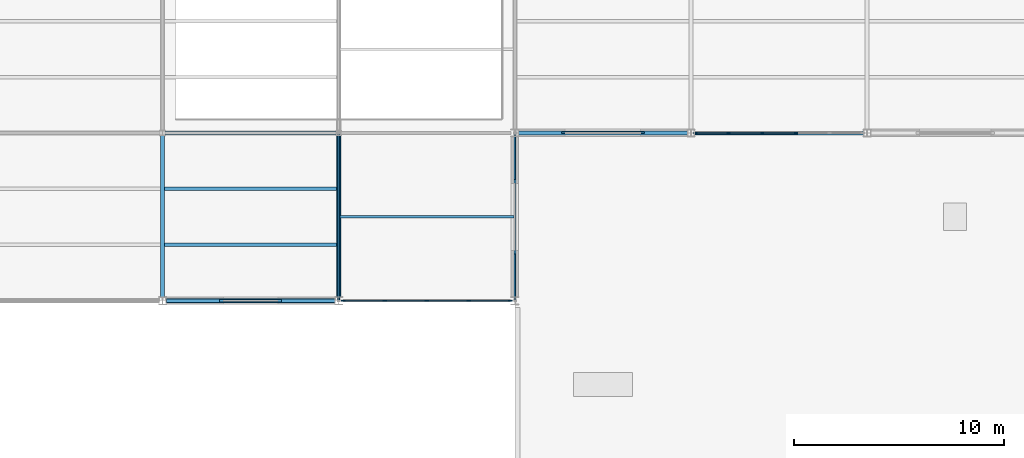
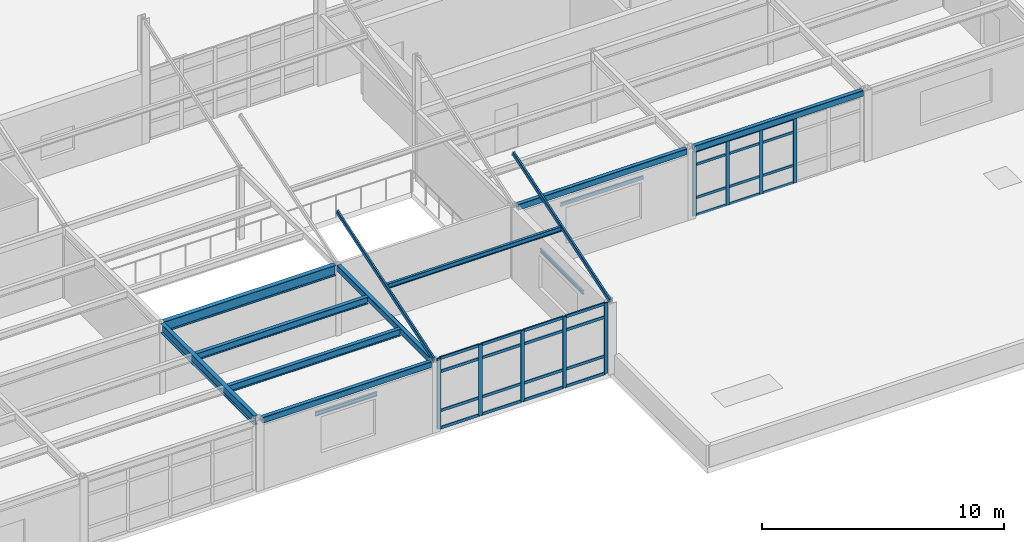
# One storey, part 14 of 96: 40 members, 11 beams, 2 elements without a shape of their own.
"""IFC4 building model written with IfcOpenShell, lengths in metres."""

from ifc_helpers import new_model, si_unit, direction, frame, origin, origin_2d, place, context, subcontext, project, spatial, rectangle, hollow_rectangle, i_section, u_section, extrude, material, layer, layer_set, material_profile, profile_set, type_object, element, aggregate, save


model = new_model("IFC4")

# Units and contexts
model_context = context("Model", 3, precision=1e-05, world=origin(), true_north=direction((0.0, 1.0)))
body_context = subcontext(model_context, "Body", "Model", "MODEL_VIEW")
ifc_project = project(units=[si_unit("LENGTHUNIT", "METRE"), si_unit("AREAUNIT", "SQUARE_METRE"), si_unit("VOLUMEUNIT", "CUBIC_METRE"), si_unit("PLANEANGLEUNIT", "RADIAN"), si_unit("MASSUNIT", "GRAM", prefix="KILO")], contexts=[model_context])

# Site, building, storey
site_placement = place(None, origin())
site = spatial("IfcSite", under=ifc_project, at=site_placement, CompositionType="ELEMENT")
building_placement = place(site_placement, origin())
building = spatial("IfcBuilding", under=site, at=building_placement, Name="Kranzveld Transit Interchange", CompositionType="ELEMENT")
storey_placement = place(building_placement, frame((0.0, 0.0, 9.52001953125)))
storey = spatial("IfcBuildingStorey", under=building, at=storey_placement, Name="L02", CompositionType="ELEMENT", Elevation=9.52001953125)

# Beam
ifc_material_1 = material(Name="Steel S355JR", Category="steel")
ifc_material_profile_1 = material_profile(ifc_material_1, i_section(OverallWidth=0.19189453125, OverallDepth=0.46337890625, WebThickness=0.010498046875, FlangeThickness=0.017578125, FilletRadius=0.01025390625, at=origin_2d()), Name="UB 457x191x89")
ifc_profile_set_1 = profile_set([ifc_material_profile_1], Name="Steel S355JR")
beam_type_1 = type_object("IfcBeamType", Name="Beam Steel UB 457x191x89 S355JR", PredefinedType="BEAM", material=ifc_profile_set_1)
beam_1_placement = place(storey_placement, frame((33.60009765625, 16.17724609375, 3.33837890625), z_axis=(0.0, 1.0, 0.0), x_axis=(-1.0, 0.0, 0.0)))
element("IfcBeam", 1, at=beam_1_placement, inside=storey, type_object=beam_type_1, Name="L02 Girder 05/C-D", PredefinedType="BEAM", context=body_context, shape_type="SweptSolid", body=[
    extrude(i_section(OverallWidth=0.19189453125, OverallDepth=0.46337890625, WebThickness=0.010498046875, FlangeThickness=0.017578125, FilletRadius=0.01025390625, at=origin_2d()), origin(), (0.0, 0.0, 1.0), 7.699462890625),
])

# Curtain wall, members
ifc_material_2 = material(Name="Bronze-anodised thermally broken aluminium", Category="aluminium")
ifc_layer_1 = layer(ifc_material_2, 0.155029296875)
ifc_layer_set_1 = layer_set([ifc_layer_1], Name="Bronze-anodised thermally broken aluminium")
curtain_wall_type_1 = type_object("IfcCurtainWallType", Name="Operations Courtyard Glazed Screen CW-6", PredefinedType="USERDEFINED", material=ifc_layer_set_1)
curtain_wall_1_placement = place(storey_placement, origin())
curtain_wall_1 = element("IfcCurtainWall", 2, at=curtain_wall_1_placement, inside=storey, type_object=curtain_wall_type_1, Name="L02 Curtain Wall 08/D-09/D", ObjectType="CURTAIN WALL", PredefinedType="USERDEFINED")
ifc_material_3 = material(Name="Bronze-anodised thermally broken aluminium", Category="aluminium")
ifc_material_profile_2 = material_profile(ifc_material_3, rectangle(XDim=0.06494140625, YDim=0.1650390625, at=origin_2d()), Name="ALU MULLION 65x165")
ifc_profile_set_2 = profile_set([ifc_material_profile_2], Name="Bronze-anodised thermally broken aluminium")
member_type_1 = type_object("IfcMemberType", Name="Curtain Wall Mullion 65x165 Alu", PredefinedType="MULLION", material=ifc_profile_set_2)
member_1_placement = place(storey_placement, frame((59.019775390625, 24.0, 0.0), z_axis=(0.0, 0.0, 1.0), x_axis=(0.0, 1.0, 0.0)))
member_1 = element("IfcMember", 3, at=member_1_placement, type_object=member_type_1, Name="CW-6 mullion 1", PredefinedType="MULLION", context=body_context, shape_type="SweptSolid", body=[
    extrude(rectangle(XDim=0.06494140625, YDim=0.1650390625, at=origin_2d()), origin(), (0.0, 0.0, 1.0), 3.27001953125),
])
member_2_placement = place(storey_placement, frame((60.59228515625, 24.0, 0.0), z_axis=(0.0, 0.0, 1.0), x_axis=(0.0, 1.0, 0.0)))
member_2 = element("IfcMember", 4, at=member_2_placement, type_object=member_type_1, Name="CW-6 mullion 2", PredefinedType="MULLION", context=body_context, shape_type="SweptSolid", body=[
    extrude(rectangle(XDim=0.06494140625, YDim=0.1650390625, at=origin_2d()), origin(), (0.0, 0.0, 1.0), 3.27001953125),
])
member_3_placement = place(storey_placement, frame((62.197509765625, 24.0, 0.0), z_axis=(0.0, 0.0, 1.0), x_axis=(0.0, 1.0, 0.0)))
member_3 = element("IfcMember", 5, at=member_3_placement, type_object=member_type_1, Name="CW-6 mullion 3", PredefinedType="MULLION", context=body_context, shape_type="SweptSolid", body=[
    extrude(rectangle(XDim=0.06494140625, YDim=0.1650390625, at=origin_2d()), origin(), (0.0, 0.0, 1.0), 3.27001953125),
])
member_4_placement = place(storey_placement, frame((63.802490234375, 24.0, 0.0), z_axis=(0.0, 0.0, 1.0), x_axis=(0.0, 1.0, 0.0)))
member_4 = element("IfcMember", 6, at=member_4_placement, type_object=member_type_1, Name="CW-6 mullion 4", PredefinedType="MULLION", context=body_context, shape_type="SweptSolid", body=[
    extrude(rectangle(XDim=0.06494140625, YDim=0.1650390625, at=origin_2d()), origin(), (0.0, 0.0, 1.0), 3.27001953125),
])

ifc_material_4 = material(Name="Bronze-anodised thermally broken aluminium", Category="aluminium")
ifc_layer_2 = layer(ifc_material_4, 0.179931640625)
ifc_layer_set_2 = layer_set([ifc_layer_2], Name="Bronze-anodised thermally broken aluminium")
curtain_wall_type_2 = type_object("IfcCurtainWallType", Name="Concourse Unitised Curtain Wall CW-1", PredefinedType="USERDEFINED", material=ifc_layer_set_2)
curtain_wall_2_placement = place(storey_placement, origin())
curtain_wall_2 = element("IfcCurtainWall", 7, at=curtain_wall_2_placement, inside=storey, type_object=curtain_wall_type_2, Name="L02 Curtain Wall 06/C-07/C", ObjectType="CURTAIN WALL", PredefinedType="USERDEFINED")
ifc_material_5 = material(Name="Bronze-anodised thermally broken aluminium", Category="aluminium")
ifc_material_profile_3 = material_profile(ifc_material_5, rectangle(XDim=0.06494140625, YDim=0.179931640625, at=origin_2d()), Name="ALU MULLION 65x180")
ifc_profile_set_3 = profile_set([ifc_material_profile_3], Name="Bronze-anodised thermally broken aluminium")
member_type_2 = type_object("IfcMemberType", Name="Curtain Wall Mullion 65x180 Alu", PredefinedType="MULLION", material=ifc_profile_set_3)
member_5_placement = place(storey_placement, frame((42.2197265625, 16.0, 0.0), z_axis=(0.0, 0.0, 1.0), x_axis=(0.0, 1.0, 0.0)))
member_5 = element("IfcMember", 8, at=member_5_placement, type_object=member_type_2, Name="CW-1 mullion 1", PredefinedType="MULLION", context=body_context, shape_type="SweptSolid", body=[
    extrude(rectangle(XDim=0.06494140625, YDim=0.179931640625, at=origin_2d()), origin(), (0.0, 0.0, 1.0), 3.570068359375),
])
member_6_placement = place(storey_placement, frame((44.193603515625, 16.0, 0.0), z_axis=(0.0, 0.0, 1.0), x_axis=(0.0, 1.0, 0.0)))
member_6 = element("IfcMember", 9, at=member_6_placement, type_object=member_type_2, Name="CW-1 mullion 2", PredefinedType="MULLION", context=body_context, shape_type="SweptSolid", body=[
    extrude(rectangle(XDim=0.06494140625, YDim=0.179931640625, at=origin_2d()), origin(), (0.0, 0.0, 1.0), 3.570068359375),
])
member_7_placement = place(storey_placement, frame((46.199951171875, 16.0, 0.0), z_axis=(0.0, 0.0, 1.0), x_axis=(0.0, 1.0, 0.0)))
member_7 = element("IfcMember", 10, at=member_7_placement, type_object=member_type_2, Name="CW-1 mullion 3", PredefinedType="MULLION", context=body_context, shape_type="SweptSolid", body=[
    extrude(rectangle(XDim=0.06494140625, YDim=0.179931640625, at=origin_2d()), origin(), (0.0, 0.0, 1.0), 3.570068359375),
])
member_8_placement = place(storey_placement, frame((48.206298828125, 16.0, 0.0), z_axis=(0.0, 0.0, 1.0), x_axis=(0.0, 1.0, 0.0)))
member_8 = element("IfcMember", 11, at=member_8_placement, type_object=member_type_2, Name="CW-1 mullion 4", PredefinedType="MULLION", context=body_context, shape_type="SweptSolid", body=[
    extrude(rectangle(XDim=0.06494140625, YDim=0.179931640625, at=origin_2d()), origin(), (0.0, 0.0, 1.0), 3.570068359375),
])
member_9_placement = place(storey_placement, frame((50.18017578125, 16.0, 0.0), z_axis=(0.0, 0.0, 1.0), x_axis=(0.0, 1.0, 0.0)))
member_9 = element("IfcMember", 12, at=member_9_placement, type_object=member_type_2, Name="CW-1 mullion 5", PredefinedType="MULLION", context=body_context, shape_type="SweptSolid", body=[
    extrude(rectangle(XDim=0.06494140625, YDim=0.179931640625, at=origin_2d()), origin(), (0.0, 0.0, 1.0), 3.570068359375),
])

# Member
ifc_material_6 = material(Name="Bronze-anodised thermally broken aluminium", Category="aluminium")
ifc_material_profile_4 = material_profile(ifc_material_6, rectangle(XDim=0.06005859375, YDim=0.125, at=origin_2d()), Name="ALU TRANSOM 60x125")
ifc_profile_set_4 = profile_set([ifc_material_profile_4], Name="Bronze-anodised thermally broken aluminium")
member_type_3 = type_object("IfcMemberType", Name="Curtain Wall Transom 60x125 Alu", PredefinedType="USERDEFINED", material=ifc_profile_set_4)
member_10_placement = place(storey_placement, frame((59.05224609375, 24.0, 0.030029296875), z_axis=(1.0, 0.0, 0.0), x_axis=(0.0, 1.0, 0.0)))
member_10 = element("IfcMember", 13, at=member_10_placement, type_object=member_type_3, Name="CW-6 transom 1.1", ObjectType="TRANSOM", PredefinedType="USERDEFINED", context=body_context, shape_type="SweptSolid", body=[
    extrude(rectangle(XDim=0.06005859375, YDim=0.125, at=origin_2d()), origin(), (0.0, 0.0, 1.0), 1.507568359375),
])

member_11_placement = place(storey_placement, frame((59.05224609375, 24.0, 0.89990234375), z_axis=(1.0, 0.0, 0.0), x_axis=(0.0, 1.0, 0.0)))
member_11 = element("IfcMember", 14, at=member_11_placement, type_object=member_type_3, Name="CW-6 transom 1.2", ObjectType="TRANSOM", PredefinedType="USERDEFINED", context=body_context, shape_type="SweptSolid", body=[
    extrude(rectangle(XDim=0.06005859375, YDim=0.125, at=origin_2d()), origin(), (0.0, 0.0, 1.0), 1.507568359375),
])

member_12_placement = place(storey_placement, frame((59.05224609375, 24.0, 2.570068359375), z_axis=(1.0, 0.0, 0.0), x_axis=(0.0, 1.0, 0.0)))
member_12 = element("IfcMember", 15, at=member_12_placement, type_object=member_type_3, Name="CW-6 transom 1.3", ObjectType="TRANSOM", PredefinedType="USERDEFINED", context=body_context, shape_type="SweptSolid", body=[
    extrude(rectangle(XDim=0.06005859375, YDim=0.125, at=origin_2d()), origin(), (0.0, 0.0, 1.0), 1.507568359375),
])

member_13_placement = place(storey_placement, frame((59.05224609375, 24.0, 3.239990234375), z_axis=(1.0, 0.0, 0.0), x_axis=(0.0, 1.0, 0.0)))
member_13 = element("IfcMember", 16, at=member_13_placement, type_object=member_type_3, Name="CW-6 transom 1.4", ObjectType="TRANSOM", PredefinedType="USERDEFINED", context=body_context, shape_type="SweptSolid", body=[
    extrude(rectangle(XDim=0.06005859375, YDim=0.125, at=origin_2d()), origin(), (0.0, 0.0, 1.0), 1.507568359375),
])

member_14_placement = place(storey_placement, frame((60.625, 24.0, 0.030029296875), z_axis=(1.0, 0.0, 0.0), x_axis=(0.0, 1.0, 0.0)))
member_14 = element("IfcMember", 17, at=member_14_placement, type_object=member_type_3, Name="CW-6 transom 2.1", ObjectType="TRANSOM", PredefinedType="USERDEFINED", context=body_context, shape_type="SweptSolid", body=[
    extrude(rectangle(XDim=0.06005859375, YDim=0.125, at=origin_2d()), origin(), (0.0, 0.0, 1.0), 1.5400390625),
])

member_15_placement = place(storey_placement, frame((60.625, 24.0, 0.89990234375), z_axis=(1.0, 0.0, 0.0), x_axis=(0.0, 1.0, 0.0)))
member_15 = element("IfcMember", 18, at=member_15_placement, type_object=member_type_3, Name="CW-6 transom 2.2", ObjectType="TRANSOM", PredefinedType="USERDEFINED", context=body_context, shape_type="SweptSolid", body=[
    extrude(rectangle(XDim=0.06005859375, YDim=0.125, at=origin_2d()), origin(), (0.0, 0.0, 1.0), 1.5400390625),
])

member_16_placement = place(storey_placement, frame((60.625, 24.0, 2.570068359375), z_axis=(1.0, 0.0, 0.0), x_axis=(0.0, 1.0, 0.0)))
member_16 = element("IfcMember", 19, at=member_16_placement, type_object=member_type_3, Name="CW-6 transom 2.3", ObjectType="TRANSOM", PredefinedType="USERDEFINED", context=body_context, shape_type="SweptSolid", body=[
    extrude(rectangle(XDim=0.06005859375, YDim=0.125, at=origin_2d()), origin(), (0.0, 0.0, 1.0), 1.5400390625),
])

member_17_placement = place(storey_placement, frame((60.625, 24.0, 3.239990234375), z_axis=(1.0, 0.0, 0.0), x_axis=(0.0, 1.0, 0.0)))
member_17 = element("IfcMember", 20, at=member_17_placement, type_object=member_type_3, Name="CW-6 transom 2.4", ObjectType="TRANSOM", PredefinedType="USERDEFINED", context=body_context, shape_type="SweptSolid", body=[
    extrude(rectangle(XDim=0.06005859375, YDim=0.125, at=origin_2d()), origin(), (0.0, 0.0, 1.0), 1.5400390625),
])

member_18_placement = place(storey_placement, frame((62.22998046875, 24.0, 0.030029296875), z_axis=(1.0, 0.0, 0.0), x_axis=(0.0, 1.0, 0.0)))
member_18 = element("IfcMember", 21, at=member_18_placement, type_object=member_type_3, Name="CW-6 transom 3.1", ObjectType="TRANSOM", PredefinedType="USERDEFINED", context=body_context, shape_type="SweptSolid", body=[
    extrude(rectangle(XDim=0.06005859375, YDim=0.125, at=origin_2d()), origin(), (0.0, 0.0, 1.0), 1.5400390625),
])

member_19_placement = place(storey_placement, frame((62.22998046875, 24.0, 0.89990234375), z_axis=(1.0, 0.0, 0.0), x_axis=(0.0, 1.0, 0.0)))
member_19 = element("IfcMember", 22, at=member_19_placement, type_object=member_type_3, Name="CW-6 transom 3.2", ObjectType="TRANSOM", PredefinedType="USERDEFINED", context=body_context, shape_type="SweptSolid", body=[
    extrude(rectangle(XDim=0.06005859375, YDim=0.125, at=origin_2d()), origin(), (0.0, 0.0, 1.0), 1.5400390625),
])

member_20_placement = place(storey_placement, frame((62.22998046875, 24.0, 2.570068359375), z_axis=(1.0, 0.0, 0.0), x_axis=(0.0, 1.0, 0.0)))
member_20 = element("IfcMember", 23, at=member_20_placement, type_object=member_type_3, Name="CW-6 transom 3.3", ObjectType="TRANSOM", PredefinedType="USERDEFINED", context=body_context, shape_type="SweptSolid", body=[
    extrude(rectangle(XDim=0.06005859375, YDim=0.125, at=origin_2d()), origin(), (0.0, 0.0, 1.0), 1.5400390625),
])

member_21_placement = place(storey_placement, frame((62.22998046875, 24.0, 3.239990234375), z_axis=(1.0, 0.0, 0.0), x_axis=(0.0, 1.0, 0.0)))
member_21 = element("IfcMember", 24, at=member_21_placement, type_object=member_type_3, Name="CW-6 transom 3.4", ObjectType="TRANSOM", PredefinedType="USERDEFINED", context=body_context, shape_type="SweptSolid", body=[
    extrude(rectangle(XDim=0.06005859375, YDim=0.125, at=origin_2d()), origin(), (0.0, 0.0, 1.0), 1.5400390625),
])

aggregate(curtain_wall_1, [member_1, member_2, member_3, member_4, member_10, member_11, member_12, member_13, member_14, member_15, member_16, member_17, member_18, member_19, member_20, member_21])

ifc_material_7 = material(Name="Bronze-anodised thermally broken aluminium", Category="aluminium")
ifc_material_profile_5 = material_profile(ifc_material_7, rectangle(XDim=0.06494140625, YDim=0.139892578125, at=origin_2d()), Name="ALU TRANSOM 65x140")
ifc_profile_set_5 = profile_set([ifc_material_profile_5], Name="Bronze-anodised thermally broken aluminium")
member_type_4 = type_object("IfcMemberType", Name="Curtain Wall Transom 65x140 Alu", PredefinedType="USERDEFINED", material=ifc_profile_set_5)
member_22_placement = place(storey_placement, frame((42.252197265625, 16.0, 0.032470703125), z_axis=(1.0, 0.0, 0.0), x_axis=(0.0, 1.0, 0.0)))
member_22 = element("IfcMember", 25, at=member_22_placement, type_object=member_type_4, Name="CW-1 transom 1.1", ObjectType="TRANSOM", PredefinedType="USERDEFINED", context=body_context, shape_type="SweptSolid", body=[
    extrude(rectangle(XDim=0.06494140625, YDim=0.139892578125, at=origin_2d()), origin(), (0.0, 0.0, 1.0), 1.908935546875),
])

member_23_placement = place(storey_placement, frame((42.252197265625, 16.0, 0.89990234375), z_axis=(1.0, 0.0, 0.0), x_axis=(0.0, 1.0, 0.0)))
member_23 = element("IfcMember", 26, at=member_23_placement, type_object=member_type_4, Name="CW-1 transom 1.2", ObjectType="TRANSOM", PredefinedType="USERDEFINED", context=body_context, shape_type="SweptSolid", body=[
    extrude(rectangle(XDim=0.06494140625, YDim=0.139892578125, at=origin_2d()), origin(), (0.0, 0.0, 1.0), 1.908935546875),
])

member_24_placement = place(storey_placement, frame((42.252197265625, 16.0, 2.869873046875), z_axis=(1.0, 0.0, 0.0), x_axis=(0.0, 1.0, 0.0)))
member_24 = element("IfcMember", 27, at=member_24_placement, type_object=member_type_4, Name="CW-1 transom 1.3", ObjectType="TRANSOM", PredefinedType="USERDEFINED", context=body_context, shape_type="SweptSolid", body=[
    extrude(rectangle(XDim=0.06494140625, YDim=0.139892578125, at=origin_2d()), origin(), (0.0, 0.0, 1.0), 1.908935546875),
])

member_25_placement = place(storey_placement, frame((42.252197265625, 16.0, 3.53759765625), z_axis=(1.0, 0.0, 0.0), x_axis=(0.0, 1.0, 0.0)))
member_25 = element("IfcMember", 28, at=member_25_placement, type_object=member_type_4, Name="CW-1 transom 1.4", ObjectType="TRANSOM", PredefinedType="USERDEFINED", context=body_context, shape_type="SweptSolid", body=[
    extrude(rectangle(XDim=0.06494140625, YDim=0.139892578125, at=origin_2d()), origin(), (0.0, 0.0, 1.0), 1.908935546875),
])

member_26_placement = place(storey_placement, frame((44.22607421875, 16.0, 0.032470703125), z_axis=(1.0, 0.0, 0.0), x_axis=(0.0, 1.0, 0.0)))
member_26 = element("IfcMember", 29, at=member_26_placement, type_object=member_type_4, Name="CW-1 transom 2.1", ObjectType="TRANSOM", PredefinedType="USERDEFINED", context=body_context, shape_type="SweptSolid", body=[
    extrude(rectangle(XDim=0.06494140625, YDim=0.139892578125, at=origin_2d()), origin(), (0.0, 0.0, 1.0), 1.94140625),
])

member_27_placement = place(storey_placement, frame((44.22607421875, 16.0, 0.89990234375), z_axis=(1.0, 0.0, 0.0), x_axis=(0.0, 1.0, 0.0)))
member_27 = element("IfcMember", 30, at=member_27_placement, type_object=member_type_4, Name="CW-1 transom 2.2", ObjectType="TRANSOM", PredefinedType="USERDEFINED", context=body_context, shape_type="SweptSolid", body=[
    extrude(rectangle(XDim=0.06494140625, YDim=0.139892578125, at=origin_2d()), origin(), (0.0, 0.0, 1.0), 1.94140625),
])

member_28_placement = place(storey_placement, frame((44.22607421875, 16.0, 2.869873046875), z_axis=(1.0, 0.0, 0.0), x_axis=(0.0, 1.0, 0.0)))
member_28 = element("IfcMember", 31, at=member_28_placement, type_object=member_type_4, Name="CW-1 transom 2.3", ObjectType="TRANSOM", PredefinedType="USERDEFINED", context=body_context, shape_type="SweptSolid", body=[
    extrude(rectangle(XDim=0.06494140625, YDim=0.139892578125, at=origin_2d()), origin(), (0.0, 0.0, 1.0), 1.94140625),
])

member_29_placement = place(storey_placement, frame((44.22607421875, 16.0, 3.53759765625), z_axis=(1.0, 0.0, 0.0), x_axis=(0.0, 1.0, 0.0)))
member_29 = element("IfcMember", 32, at=member_29_placement, type_object=member_type_4, Name="CW-1 transom 2.4", ObjectType="TRANSOM", PredefinedType="USERDEFINED", context=body_context, shape_type="SweptSolid", body=[
    extrude(rectangle(XDim=0.06494140625, YDim=0.139892578125, at=origin_2d()), origin(), (0.0, 0.0, 1.0), 1.94140625),
])

member_30_placement = place(storey_placement, frame((46.232421875, 16.0, 0.032470703125), z_axis=(1.0, 0.0, 0.0), x_axis=(0.0, 1.0, 0.0)))
member_30 = element("IfcMember", 33, at=member_30_placement, type_object=member_type_4, Name="CW-1 transom 3.1", ObjectType="TRANSOM", PredefinedType="USERDEFINED", context=body_context, shape_type="SweptSolid", body=[
    extrude(rectangle(XDim=0.06494140625, YDim=0.139892578125, at=origin_2d()), origin(), (0.0, 0.0, 1.0), 1.94140625),
])

member_31_placement = place(storey_placement, frame((46.232421875, 16.0, 0.89990234375), z_axis=(1.0, 0.0, 0.0), x_axis=(0.0, 1.0, 0.0)))
member_31 = element("IfcMember", 34, at=member_31_placement, type_object=member_type_4, Name="CW-1 transom 3.2", ObjectType="TRANSOM", PredefinedType="USERDEFINED", context=body_context, shape_type="SweptSolid", body=[
    extrude(rectangle(XDim=0.06494140625, YDim=0.139892578125, at=origin_2d()), origin(), (0.0, 0.0, 1.0), 1.94140625),
])

member_32_placement = place(storey_placement, frame((46.232421875, 16.0, 2.869873046875), z_axis=(1.0, 0.0, 0.0), x_axis=(0.0, 1.0, 0.0)))
member_32 = element("IfcMember", 35, at=member_32_placement, type_object=member_type_4, Name="CW-1 transom 3.3", ObjectType="TRANSOM", PredefinedType="USERDEFINED", context=body_context, shape_type="SweptSolid", body=[
    extrude(rectangle(XDim=0.06494140625, YDim=0.139892578125, at=origin_2d()), origin(), (0.0, 0.0, 1.0), 1.94140625),
])

member_33_placement = place(storey_placement, frame((46.232421875, 16.0, 3.53759765625), z_axis=(1.0, 0.0, 0.0), x_axis=(0.0, 1.0, 0.0)))
member_33 = element("IfcMember", 36, at=member_33_placement, type_object=member_type_4, Name="CW-1 transom 3.4", ObjectType="TRANSOM", PredefinedType="USERDEFINED", context=body_context, shape_type="SweptSolid", body=[
    extrude(rectangle(XDim=0.06494140625, YDim=0.139892578125, at=origin_2d()), origin(), (0.0, 0.0, 1.0), 1.94140625),
])

member_34_placement = place(storey_placement, frame((48.23876953125, 16.0, 0.032470703125), z_axis=(1.0, 0.0, 0.0), x_axis=(0.0, 1.0, 0.0)))
member_34 = element("IfcMember", 37, at=member_34_placement, type_object=member_type_4, Name="CW-1 transom 4.1", ObjectType="TRANSOM", PredefinedType="USERDEFINED", context=body_context, shape_type="SweptSolid", body=[
    extrude(rectangle(XDim=0.06494140625, YDim=0.139892578125, at=origin_2d()), origin(), (0.0, 0.0, 1.0), 1.908935546875),
])

member_35_placement = place(storey_placement, frame((48.23876953125, 16.0, 0.89990234375), z_axis=(1.0, 0.0, 0.0), x_axis=(0.0, 1.0, 0.0)))
member_35 = element("IfcMember", 38, at=member_35_placement, type_object=member_type_4, Name="CW-1 transom 4.2", ObjectType="TRANSOM", PredefinedType="USERDEFINED", context=body_context, shape_type="SweptSolid", body=[
    extrude(rectangle(XDim=0.06494140625, YDim=0.139892578125, at=origin_2d()), origin(), (0.0, 0.0, 1.0), 1.908935546875),
])

member_36_placement = place(storey_placement, frame((48.23876953125, 16.0, 2.869873046875), z_axis=(1.0, 0.0, 0.0), x_axis=(0.0, 1.0, 0.0)))
member_36 = element("IfcMember", 39, at=member_36_placement, type_object=member_type_4, Name="CW-1 transom 4.3", ObjectType="TRANSOM", PredefinedType="USERDEFINED", context=body_context, shape_type="SweptSolid", body=[
    extrude(rectangle(XDim=0.06494140625, YDim=0.139892578125, at=origin_2d()), origin(), (0.0, 0.0, 1.0), 1.908935546875),
])

member_37_placement = place(storey_placement, frame((48.23876953125, 16.0, 3.53759765625), z_axis=(1.0, 0.0, 0.0), x_axis=(0.0, 1.0, 0.0)))
member_37 = element("IfcMember", 40, at=member_37_placement, type_object=member_type_4, Name="CW-1 transom 4.4", ObjectType="TRANSOM", PredefinedType="USERDEFINED", context=body_context, shape_type="SweptSolid", body=[
    extrude(rectangle(XDim=0.06494140625, YDim=0.139892578125, at=origin_2d()), origin(), (0.0, 0.0, 1.0), 1.908935546875),
])

aggregate(curtain_wall_2, [member_5, member_6, member_7, member_8, member_9, member_22, member_23, member_24, member_25, member_26, member_27, member_28, member_29, member_30, member_31, member_32, member_33, member_34, member_35, member_36, member_37])

# Beams
ifc_material_8 = material(Name="Steel S355JR", Category="steel")
ifc_material_profile_6 = material_profile(ifc_material_8, hollow_rectangle(XDim=0.199951171875, YDim=0.300048828125, WallThickness=0.010009765625, InnerFilletRadius=0.014892578125, OuterFilletRadius=0.02490234375, at=origin_2d()), Name="RHS 300x200x10")
ifc_profile_set_6 = profile_set([ifc_material_profile_6], Name="Steel S355JR")
beam_type_2 = type_object("IfcBeamType", Name="Edge Spandrel RHS 300x200x10 S355JR", PredefinedType="SPANDREL", material=ifc_profile_set_6)
for number, where, z_axis, x_axis, name in (
    (41, (33.77734375, 16.0, 3.419921875), (1.0, 0.0, 0.0), (0.0, 1.0, 0.0), "L02 Girder 05-06/C"),
    (42, (50.577392578125, 24.0, 3.419921875), (1.0, 0.0, 0.0), (0.0, 1.0, 0.0), "L02 Girder 07-08/D"),
    (43, (58.977294921875, 24.0, 3.419921875), (1.0, 0.0, 0.0), (0.0, 1.0, 0.0), "L02 Girder 08-09/D"),
):
    element("IfcBeam", number, at=place(storey_placement, frame(where, z_axis=z_axis, x_axis=x_axis)), inside=storey, type_object=beam_type_2, Name=name, PredefinedType="SPANDREL", context=body_context, shape_type="SweptSolid", body=[
        extrude(hollow_rectangle(XDim=0.199951171875, YDim=0.300048828125, WallThickness=0.010009765625, InnerFilletRadius=0.014892578125, OuterFilletRadius=0.02490234375, at=origin_2d()), origin(), (0.0, 0.0, 1.0), 8.04541015625),
    ])
beam_2_placement = place(storey_placement, frame((42.0, 16.17724609375, 3.419921875), z_axis=(0.0, 1.0, 0.0), x_axis=(-1.0, 0.0, 0.0)))
element("IfcBeam", 44, at=beam_2_placement, inside=storey, type_object=beam_type_2, Name="L02 Girder 06/C-D", PredefinedType="SPANDREL", context=body_context, shape_type="SweptSolid", body=[
    extrude(hollow_rectangle(XDim=0.199951171875, YDim=0.300048828125, WallThickness=0.010009765625, InnerFilletRadius=0.014892578125, OuterFilletRadius=0.02490234375, at=origin_2d()), origin(), (0.0, 0.0, 1.0), 7.699462890625),
])
ifc_material_9 = material(Name="Steel S355JR", Category="steel")
ifc_material_profile_7 = material_profile(ifc_material_9, i_section(OverallWidth=0.171142578125, OverallDepth=0.351318359375, WebThickness=0.007080078125, FlangeThickness=0.009765625, FilletRadius=0.01025390625, at=origin_2d()), Name="UB 356x171x45")
ifc_profile_set_7 = profile_set([ifc_material_profile_7], Name="Steel S355JR")
beam_type_3 = type_object("IfcBeamType", Name="Floor Joist UB 356x171x45 S355JR", PredefinedType="JOIST", material=ifc_profile_set_7)
for number, where, z_axis, x_axis, name in (
    (45, (33.697998046875, 18.666748046875, 3.394287109375), (1.0, 0.0, 0.0), (0.0, 1.0, 0.0), "L02 Secondary Joist 05-06/C.1"),
    (46, (33.697998046875, 21.333251953125, 3.394287109375), (1.0, 0.0, 0.0), (0.0, 1.0, 0.0), "L02 Secondary Joist 05-06/C.2"),
):
    element("IfcBeam", number, at=place(storey_placement, frame(where, z_axis=z_axis, x_axis=x_axis)), inside=storey, type_object=beam_type_3, Name=name, PredefinedType="JOIST", context=body_context, shape_type="SweptSolid", body=[
        extrude(i_section(OverallWidth=0.171142578125, OverallDepth=0.351318359375, WebThickness=0.007080078125, FlangeThickness=0.009765625, FilletRadius=0.01025390625, at=origin_2d()), origin(), (0.0, 0.0, 1.0), 8.199951171875),
    ])
ifc_material_10 = material(Name="Steel S355JR", Category="steel")
ifc_material_profile_8 = material_profile(ifc_material_10, i_section(OverallWidth=0.209228515625, OverallDepth=0.533203125, WebThickness=0.010009765625, FlangeThickness=0.015625, FilletRadius=0.0126953125, at=origin_2d()), Name="UB 533x210x92")
ifc_profile_set_8 = profile_set([ifc_material_profile_8], Name="Steel S355JR")
beam_type_4 = type_object("IfcBeamType", Name="Girder Steel UB 533x210x92 S355JR", PredefinedType="BEAM", material=ifc_profile_set_8)
beam_3_placement = place(storey_placement, frame((33.719482421875, 24.0, 3.303466796875), z_axis=(1.0, 0.0, 0.0), x_axis=(0.0, 1.0, 0.0)))
element("IfcBeam", 47, at=beam_3_placement, inside=storey, type_object=beam_type_4, Name="L02 Girder 05-06/D", PredefinedType="BEAM", context=body_context, shape_type="SweptSolid", body=[
    extrude(i_section(OverallWidth=0.209228515625, OverallDepth=0.533203125, WebThickness=0.010009765625, FlangeThickness=0.015625, FilletRadius=0.0126953125, at=origin_2d()), origin(), (0.0, 0.0, 1.0), 8.1611328125),
])
ifc_material_11 = material(Name="Steel S355JR", Category="steel")
ifc_material_profile_9 = material_profile(ifc_material_11, u_section(Depth=0.179931640625, FlangeWidth=0.070068359375, WebThickness=0.007080078125, FlangeThickness=0.010986328125, FilletRadius=0.010009765625, at=origin_2d()), Name="PFC 180x70x22")
ifc_profile_set_9 = profile_set([ifc_material_profile_9], Name="Steel S355JR")
beam_type_5 = type_object("IfcBeamType", Name="Masonry Lintel PFC 180x70x22 S355JR", PredefinedType="LINTEL", material=ifc_profile_set_9)
beam_4_placement = place(storey_placement, frame((52.6201171875, 24.0, 2.794921875), z_axis=(1.0, 0.0, 0.0), x_axis=(0.0, 1.0, 0.0)))
element("IfcBeam", 48, at=beam_4_placement, inside=storey, type_object=beam_type_5, Name="L02 Window Lintel 121", PredefinedType="LINTEL", context=body_context, shape_type="SweptSolid", body=[
    extrude(u_section(Depth=0.179931640625, FlangeWidth=0.070068359375, WebThickness=0.007080078125, FlangeThickness=0.010986328125, FilletRadius=0.010009765625, at=origin_2d()), origin(), (0.0, 0.0, 1.0), 3.9599609375),
])
ifc_material_12 = material(Name="Steel S355JR", Category="steel")
ifc_material_profile_10 = material_profile(ifc_material_12, i_section(OverallWidth=0.091064453125, OverallDepth=0.179931640625, WebThickness=0.00537109375, FlangeThickness=0.008056640625, FilletRadius=0.009033203125, at=origin_2d()), Name="IPE 180")
ifc_profile_set_10 = profile_set([ifc_material_profile_10], Name="Steel S355JR")
beam_type_6 = type_object("IfcBeamType", Name="Opening Lintel IPE 180 S355JR", PredefinedType="LINTEL", material=ifc_profile_set_10)
beam_5_placement = place(storey_placement, frame((50.39990234375, 18.219970703125, 2.64501953125), z_axis=(0.0, 1.0, 0.0), x_axis=(-1.0, 0.0, 0.0)))
element("IfcBeam", 49, at=beam_5_placement, inside=storey, type_object=beam_type_6, Name="L02 Window Lintel 123", PredefinedType="LINTEL", context=body_context, shape_type="SweptSolid", body=[
    extrude(i_section(OverallWidth=0.091064453125, OverallDepth=0.179931640625, WebThickness=0.00537109375, FlangeThickness=0.008056640625, FilletRadius=0.009033203125, at=origin_2d()), origin(), (0.0, 0.0, 1.0), 3.56005859375),
])
ifc_material_13 = material(Name="Steel S355JR", Category="steel")
ifc_material_profile_11 = material_profile(ifc_material_13, i_section(OverallWidth=0.10009765625, OverallDepth=0.199951171875, WebThickness=0.005615234375, FlangeThickness=0.008544921875, FilletRadius=0.011962890625, at=origin_2d()), Name="IPE 200")
ifc_profile_set_11 = profile_set([ifc_material_profile_11], Name="Steel S355JR")
beam_type_7 = type_object("IfcBeamType", Name="Opening Lintel IPE 200 S355JR", PredefinedType="LINTEL", material=ifc_profile_set_11)
beam_6_placement = place(storey_placement, frame((36.320068359375, 16.0, 2.804931640625), z_axis=(1.0, 0.0, 0.0), x_axis=(0.0, 1.0, 0.0)))
element("IfcBeam", 50, at=beam_6_placement, inside=storey, type_object=beam_type_7, Name="L02 Window Lintel 126", PredefinedType="LINTEL", context=body_context, shape_type="SweptSolid", body=[
    extrude(i_section(OverallWidth=0.10009765625, OverallDepth=0.199951171875, WebThickness=0.005615234375, FlangeThickness=0.008544921875, FilletRadius=0.011962890625, at=origin_2d()), origin(), (0.0, 0.0, 1.0), 2.9599609375),
])

# Members
ifc_material_14 = material(Name="Steel S355JR", Category="steel")
ifc_material_profile_12 = material_profile(ifc_material_14, i_section(OverallWidth=0.1201171875, OverallDepth=0.239990234375, WebThickness=0.006103515625, FlangeThickness=0.009765625, FilletRadius=0.014892578125, at=origin_2d()), Name="IPE 240")
ifc_profile_set_12 = profile_set([ifc_material_profile_12], Name="Steel S355JR")
member_type_5 = type_object("IfcMemberType", Name="Roof Purlin IPE 240 S355JR", PredefinedType="PURLIN", material=ifc_profile_set_12)
member_38_placement = place(storey_placement, frame((42.0, 20.0, 4.820068359375), z_axis=(1.0, 0.0, 0.0), x_axis=(0.0, 1.0, 0.0)))
element("IfcMember", 51, at=member_38_placement, inside=storey, type_object=member_type_5, Name="Sawtooth Roof Purlin 06/C", PredefinedType="PURLIN", context=body_context, shape_type="SweptSolid", body=[
    extrude(i_section(OverallWidth=0.1201171875, OverallDepth=0.239990234375, WebThickness=0.006103515625, FlangeThickness=0.009765625, FilletRadius=0.014892578125, at=origin_2d()), origin(), (0.0, 0.0, 1.0), 8.39990234375),
])
ifc_material_15 = material(Name="Steel S355JR", Category="steel")
ifc_material_profile_13 = material_profile(ifc_material_15, hollow_rectangle(XDim=0.10009765625, YDim=0.199951171875, WallThickness=0.008056640625, InnerFilletRadius=0.011962890625, OuterFilletRadius=0.02001953125, at=origin_2d()), Name="RHS 200x100x8")
ifc_profile_set_13 = profile_set([ifc_material_profile_13], Name="Steel S355JR")
member_type_6 = type_object("IfcMemberType", Name="Truss Chord RHS 200x100x8 S355JR", PredefinedType="CHORD", material=ifc_profile_set_13)
for number, where, z_axis, x_axis, name in (
    (52, (42.0, 16.0, 3.56005859375), (0.0, 0.951039187484, 0.309070321885), (-1.0, 0.0, 0.0), "Sawtooth Rafter Chord 06/C"),
    (53, (50.39990234375, 16.0, 3.56005859375), (0.0, 0.951039187484, 0.309070321885), (-1.0, 0.0, 0.0), "Sawtooth Rafter Chord 07/C"),
):
    element("IfcMember", number, at=place(storey_placement, frame(where, z_axis=z_axis, x_axis=x_axis)), inside=storey, type_object=member_type_6, Name=name, PredefinedType="CHORD", context=body_context, shape_type="SweptSolid", body=[
        extrude(hollow_rectangle(XDim=0.10009765625, YDim=0.199951171875, WallThickness=0.008056640625, InnerFilletRadius=0.011962890625, OuterFilletRadius=0.02001953125, at=origin_2d()), origin(), (0.0, 0.0, 1.0), 8.411865234375),
    ])

save(model, "model.ifc")
